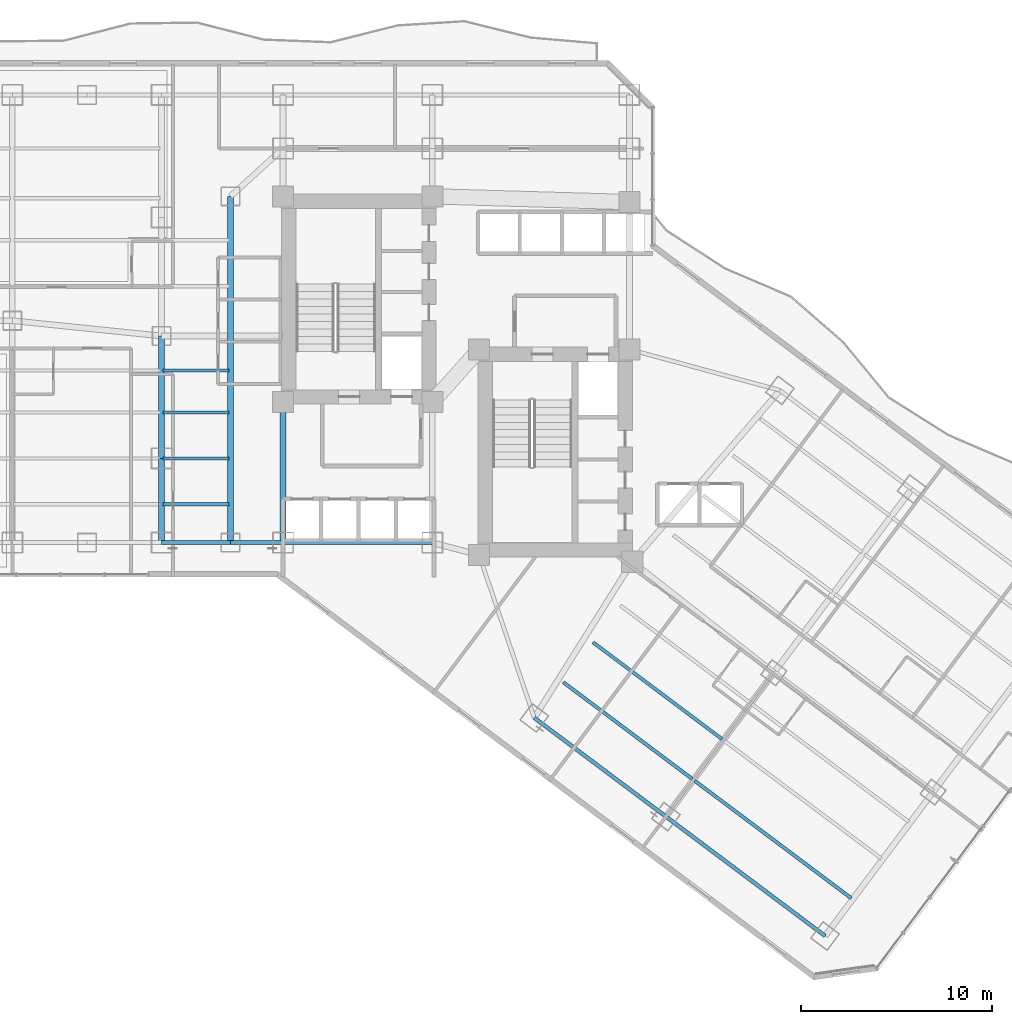
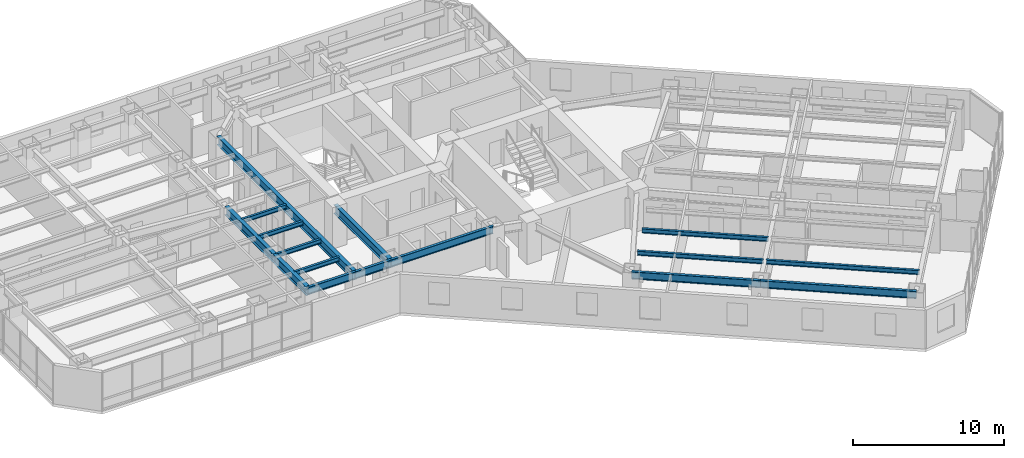
# One storey, part 7 of 37: 16 beams.
"""IFC4 building model written with IfcOpenShell, lengths in metres."""

from ifc_helpers import new_model, si_unit, direction, frame, origin, origin_2d, place, context, subcontext, project, spatial, i_section, extrude, material, material_profile, profile_set, type_object, element, save


model = new_model("IFC4")

# Units and contexts
model_context = context("Model", 3, precision=1e-05, world=origin(), true_north=direction((0.0, 1.0)))
body_context = subcontext(model_context, "Body", "Model", "MODEL_VIEW")
ifc_project = project(units=[si_unit("LENGTHUNIT", "METRE"), si_unit("AREAUNIT", "SQUARE_METRE"), si_unit("VOLUMEUNIT", "CUBIC_METRE"), si_unit("PLANEANGLEUNIT", "RADIAN"), si_unit("MASSUNIT", "GRAM", prefix="KILO")], contexts=[model_context])

# Site, building, storey
site_placement = place(None, origin())
site = spatial("IfcSite", under=ifc_project, at=site_placement, CompositionType="ELEMENT")
building_placement = place(site_placement, origin())
building = spatial("IfcBuilding", under=site, at=building_placement, Name="Hatsunagi Terrace Concourse", CompositionType="ELEMENT")
storey_placement = place(building_placement, frame((0.0, 0.0, 39.949951171875)))
storey = spatial("IfcBuildingStorey", under=building, at=storey_placement, Name="L09", CompositionType="ELEMENT", Elevation=39.949951171875)

# Beams
ifc_material_1 = material(Name="Steel SN490B", Category="steel")
ifc_material_profile_1 = material_profile(ifc_material_1, i_section(OverallWidth=0.300048828125, OverallDepth=0.699951171875, WebThickness=0.012939453125, FlangeThickness=0.02392578125, FilletRadius=0.02197265625, at=origin_2d()), Name="H-700x300x13x24")
ifc_profile_set_1 = profile_set([ifc_material_profile_1], Name="Steel SN490B")
beam_type_1 = type_object("IfcBeamType", Name="HotelFloorGirder_H_700x300", PredefinedType="BEAM", material=ifc_profile_set_1)
beam_1_placement = place(storey_placement, frame((25.550048828125, 25.199951171875, 2.780029296875), z_axis=(0.0, 1.0, 0.0), x_axis=(-1.0, 0.0, 0.0)))
element("IfcBeam", 1, at=beam_1_placement, inside=storey, type_object=beam_type_1, Name="Beam G-04 BM-L09-K1CA", PredefinedType="BEAM", context=body_context, shape_type="SweptSolid", body=[
    extrude(i_section(OverallWidth=0.300048828125, OverallDepth=0.699951171875, WebThickness=0.012939453125, FlangeThickness=0.02392578125, FilletRadius=0.02197265625, at=origin_2d()), origin(), (0.0, 0.0, 1.0), 7.35009765625),
])
beam_2_placement = place(storey_placement, frame((22.800048828125, 25.199951171875, 2.780029296875), z_axis=(0.0, 1.0, 0.0), x_axis=(-1.0, 0.0, 0.0)))
element("IfcBeam", 2, at=beam_2_placement, inside=storey, type_object=beam_type_1, Name="Beam G-04 BM-L09-CWNS", PredefinedType="BEAM", context=body_context, shape_type="SweptSolid", body=[
    extrude(i_section(OverallWidth=0.300048828125, OverallDepth=0.699951171875, WebThickness=0.012939453125, FlangeThickness=0.02392578125, FilletRadius=0.02197265625, at=origin_2d()), origin(), (0.0, 0.0, 1.0), 18.10009765625),
])
beam_3_placement = place(storey_placement, frame((19.199951171875, 25.199951171875, 2.780029296875), z_axis=(0.0, 1.0, 0.0), x_axis=(-1.0, 0.0, 0.0)))
element("IfcBeam", 3, at=beam_3_placement, inside=storey, type_object=beam_type_1, Name="Beam G-04 BM-L09-NS-19-25", PredefinedType="BEAM", context=body_context, shape_type="SweptSolid", body=[
    extrude(i_section(OverallWidth=0.300048828125, OverallDepth=0.699951171875, WebThickness=0.012939453125, FlangeThickness=0.02392578125, FilletRadius=0.02197265625, at=origin_2d()), origin(), (0.0, 0.0, 1.0), 4.400146484375),
])
beam_4_placement = place(storey_placement, frame((19.199951171875, 29.60009765625, 2.780029296875), z_axis=(0.0, 1.0, 0.0), x_axis=(-1.0, 0.0, 0.0)))
element("IfcBeam", 4, at=beam_4_placement, inside=storey, type_object=beam_type_1, Name="Beam G-04 BM-L09-NS-19-29", PredefinedType="BEAM", context=body_context, shape_type="SweptSolid", body=[
    extrude(i_section(OverallWidth=0.300048828125, OverallDepth=0.699951171875, WebThickness=0.012939453125, FlangeThickness=0.02392578125, FilletRadius=0.02197265625, at=origin_2d()), origin(), (0.0, 0.0, 1.0), 6.39990234375),
])
ifc_material_2 = material(Name="Steel SN490B", Category="steel")
ifc_material_profile_2 = material_profile(ifc_material_2, i_section(OverallWidth=0.175048828125, OverallDepth=0.35009765625, WebThickness=0.007080078125, FlangeThickness=0.010986328125, FilletRadius=0.012939453125, at=origin_2d()), Name="H-350x175x7x11")
ifc_profile_set_2 = profile_set([ifc_material_profile_2], Name="Steel SN490B")
beam_type_2 = type_object("IfcBeamType", Name="HotelJoist_H_350x175", PredefinedType="JOIST", material=ifc_profile_set_2)
for number, where, z_axis, x_axis, name in (
    (5, (19.284912109375, 27.199951171875, 2.955078125), (1.0, 0.0, 0.0), (0.0, 1.0, 0.0), "Beam J-02 J-L09-W-19-272"),
    (6, (19.284912109375, 29.60009765625, 2.955078125), (1.0, 0.0, 0.0), (0.0, 1.0, 0.0), "Beam J-02 J-L09-W-19-296"),
    (7, (19.284912109375, 32.0, 2.955078125), (1.0, 0.0, 0.0), (0.0, 1.0, 0.0), "Beam J-02 J-L09-W-19-320"),
    (8, (19.284912109375, 34.199951171875, 2.955078125), (1.0, 0.0, 0.0), (0.0, 1.0, 0.0), "Beam J-02 J-L09-W-19-342"),
):
    element("IfcBeam", number, at=place(storey_placement, frame(where, z_axis=z_axis, x_axis=x_axis)), inside=storey, type_object=beam_type_2, Name=name, PredefinedType="JOIST", context=body_context, shape_type="SweptSolid", body=[
        extrude(i_section(OverallWidth=0.175048828125, OverallDepth=0.35009765625, WebThickness=0.007080078125, FlangeThickness=0.010986328125, FilletRadius=0.012939453125, at=origin_2d()), origin(), (0.0, 0.0, 1.0), 3.43017578125),
    ])
for number, where, z_axis, x_axis, name in (
    (9, (40.18798828125, 17.908935546875, 2.955078125), (0.800003475366, -0.59999536615, 0.0), (0.59999536615, 0.800003475366, 0.0), "Beam J-02 J-L09-SE-2-46"),
    (10, (41.748046875, 19.989013671875, 2.955078125), (0.799989573921, -0.600013901187, 0.0), (0.600013901187, 0.799989573921, 0.0), "Beam J-02 J-L09-SE-2-72"),
):
    element("IfcBeam", number, at=place(storey_placement, frame(where, z_axis=z_axis, x_axis=x_axis)), inside=storey, type_object=beam_type_2, Name=name, PredefinedType="JOIST", context=body_context, shape_type="SweptSolid", body=[
        extrude(i_section(OverallWidth=0.175048828125, OverallDepth=0.35009765625, WebThickness=0.007080078125, FlangeThickness=0.010986328125, FilletRadius=0.012939453125, at=origin_2d()), origin(), (0.0, 0.0, 1.0), 8.429931640625),
    ])
beam_5_placement = place(storey_placement, frame((47.068115234375, 12.7490234375, 2.955078125), z_axis=(0.799997136125, -0.600003818481, 0.0), x_axis=(0.600003818481, 0.799997136125, 0.0)))
element("IfcBeam", 11, at=beam_5_placement, inside=storey, type_object=beam_type_2, Name="Beam J-02 J-L09-SE-3-46", PredefinedType="JOIST", context=body_context, shape_type="SweptSolid", body=[
    extrude(i_section(OverallWidth=0.175048828125, OverallDepth=0.35009765625, WebThickness=0.007080078125, FlangeThickness=0.010986328125, FilletRadius=0.012939453125, at=origin_2d()), origin(), (0.0, 0.0, 1.0), 10.229736328125),
])
ifc_material_3 = material(Name="Steel SN490B", Category="steel")
ifc_material_profile_3 = material_profile(ifc_material_3, i_section(OverallWidth=0.199951171875, OverallDepth=0.60009765625, WebThickness=0.010986328125, FlangeThickness=0.01708984375, FilletRadius=0.01806640625, at=origin_2d()), Name="H-600x200x11x17")
ifc_profile_set_3 = profile_set([ifc_material_profile_3], Name="Steel SN490B")
beam_type_3 = type_object("IfcBeamType", Name="PerimeterSpandrel_H_600x200", PredefinedType="SPANDREL", material=ifc_profile_set_3)
beam_6_placement = place(storey_placement, frame((19.199951171875, 25.199951171875, 2.830078125), z_axis=(1.0, 0.0, 0.0), x_axis=(0.0, 1.0, 0.0)))
element("IfcBeam", 12, at=beam_6_placement, inside=storey, type_object=beam_type_3, Name="Beam SP-01 BM-L09-WS-19", PredefinedType="SPANDREL", context=body_context, shape_type="SweptSolid", body=[
    extrude(i_section(OverallWidth=0.199951171875, OverallDepth=0.60009765625, WebThickness=0.010986328125, FlangeThickness=0.01708984375, FilletRadius=0.01806640625, at=origin_2d()), origin(), (0.0, 0.0, 1.0), 3.60009765625),
])
beam_7_placement = place(storey_placement, frame((22.800048828125, 25.199951171875, 2.830078125), z_axis=(1.0, 0.0, 0.0), x_axis=(0.0, 1.0, 0.0)))
element("IfcBeam", 13, at=beam_7_placement, inside=storey, type_object=beam_type_3, Name="Beam SP-01 BM-L09-WS-22", PredefinedType="SPANDREL", context=body_context, shape_type="SweptSolid", body=[
    extrude(i_section(OverallWidth=0.199951171875, OverallDepth=0.60009765625, WebThickness=0.010986328125, FlangeThickness=0.01708984375, FilletRadius=0.01806640625, at=origin_2d()), origin(), (0.0, 0.0, 1.0), 2.75),
])
beam_8_placement = place(storey_placement, frame((25.550048828125, 25.199951171875, 2.830078125), z_axis=(1.0, 0.0, 0.0), x_axis=(0.0, 1.0, 0.0)))
element("IfcBeam", 14, at=beam_8_placement, inside=storey, type_object=beam_type_3, Name="Beam SP-01 BM-L09-WS-25", PredefinedType="SPANDREL", context=body_context, shape_type="SweptSolid", body=[
    extrude(i_section(OverallWidth=0.199951171875, OverallDepth=0.60009765625, WebThickness=0.010986328125, FlangeThickness=0.01708984375, FilletRadius=0.01806640625, at=origin_2d()), origin(), (0.0, 0.0, 1.0), 7.800048828125),
])
beam_9_placement = place(storey_placement, frame((38.679931640625, 16.0400390625, 2.830078125), z_axis=(0.799996593451, -0.600004542038, 0.0), x_axis=(0.600004542038, 0.799996593451, 0.0)))
element("IfcBeam", 15, at=beam_9_placement, inside=storey, type_object=beam_type_3, Name="Beam SP-01 BM-L09-SE-SW2", PredefinedType="SPANDREL", context=body_context, shape_type="SweptSolid", body=[
    extrude(i_section(OverallWidth=0.199951171875, OverallDepth=0.60009765625, WebThickness=0.010986328125, FlangeThickness=0.01708984375, FilletRadius=0.01806640625, at=origin_2d()), origin(), (0.0, 0.0, 1.0), 8.60009765625),
])
beam_10_placement = place(storey_placement, frame((45.56005859375, 10.8798828125, 2.830078125), z_axis=(0.799994365871, -0.600007512099, 0.0), x_axis=(0.600007512099, 0.799994365871, 0.0)))
element("IfcBeam", 16, at=beam_10_placement, inside=storey, type_object=beam_type_3, Name="Beam SP-01 BM-L09-SE-SW3", PredefinedType="SPANDREL", context=body_context, shape_type="SweptSolid", body=[
    extrude(i_section(OverallWidth=0.199951171875, OverallDepth=0.60009765625, WebThickness=0.010986328125, FlangeThickness=0.01708984375, FilletRadius=0.01806640625, at=origin_2d()), origin(), (0.0, 0.0, 1.0), 10.39990234375),
])

save(model, "model.ifc")
